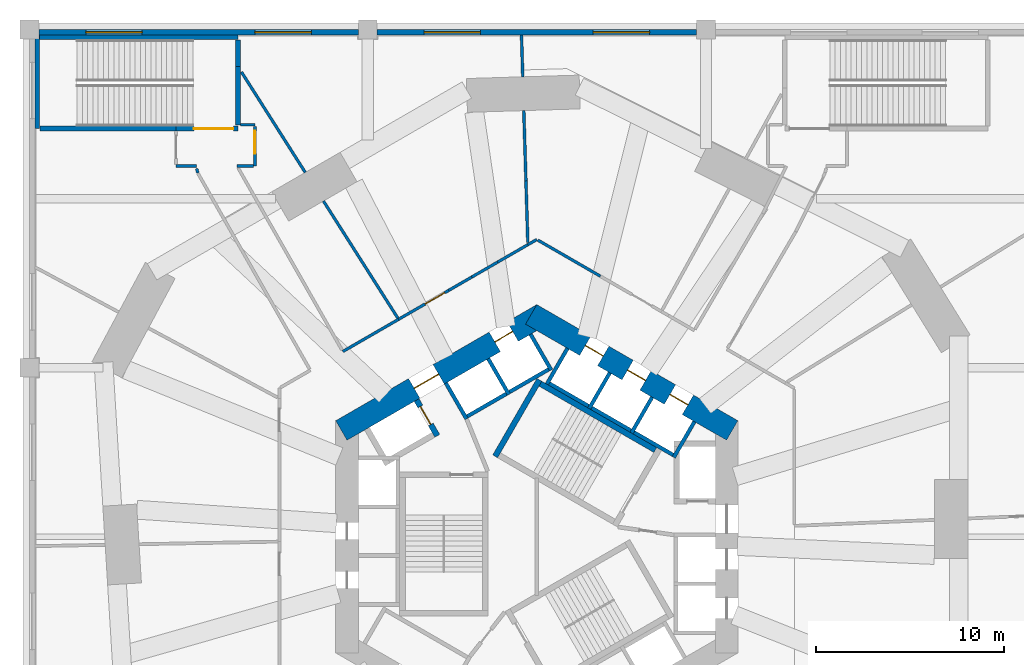
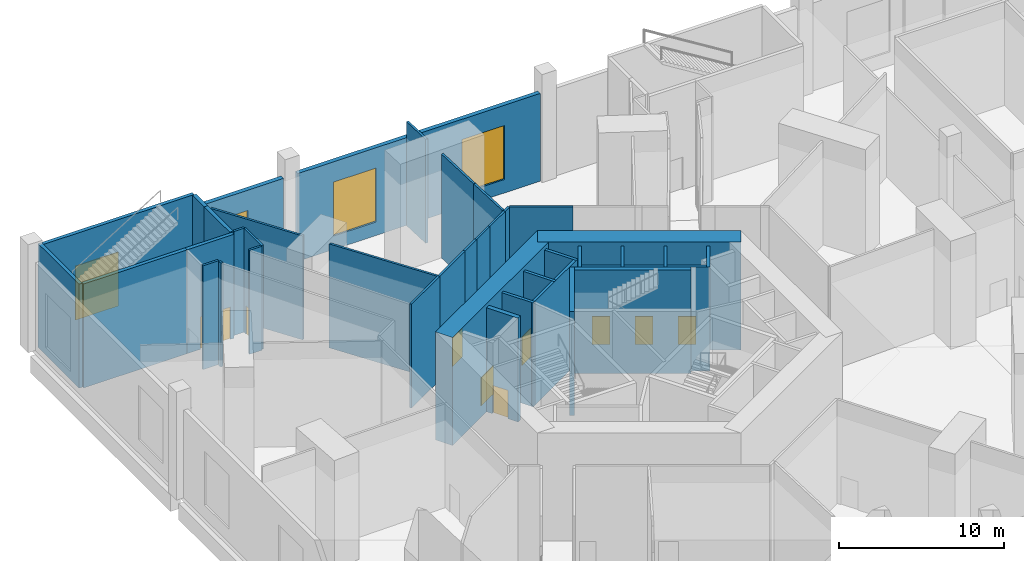
# One storey, part 9 of 15: 39 walls, 9 doors, 4 windows, 13 openings.
"""IFC4 building model written with IfcOpenShell, lengths in metres."""

from ifc_helpers import new_model, si_unit, direction, frame, frame_2d, origin, place, context, subcontext, project, spatial, rectangle, extrude, material, layer, layer_set, type_object, element, fill, save


model = new_model("IFC4")

# Units and contexts
model_context = context("Model", 3, precision=1e-05, world=origin(), true_north=direction((0.0, 1.0)))
body_context = subcontext(model_context, "Body", "Model", "MODEL_VIEW")
ifc_project = project(units=[si_unit("LENGTHUNIT", "METRE"), si_unit("AREAUNIT", "SQUARE_METRE"), si_unit("VOLUMEUNIT", "CUBIC_METRE"), si_unit("PLANEANGLEUNIT", "RADIAN"), si_unit("MASSUNIT", "GRAM", prefix="KILO")], contexts=[model_context])

# Site, building, storey
site_placement = place(None, origin())
site = spatial("IfcSite", under=ifc_project, at=site_placement, CompositionType="ELEMENT")
building_placement = place(site_placement, origin())
building = spatial("IfcBuilding", under=site, at=building_placement, Name="Vanh Sen Convention Tower", CompositionType="ELEMENT")
storey_placement = place(building_placement, frame((0.0, 0.0, 21.0)))
storey = spatial("IfcBuildingStorey", under=building, at=storey_placement, Name="L03", CompositionType="ELEMENT", Elevation=21.0)

# Wall
ifc_material_1 = material(Name="Concrete C40/50", Category="concrete")
ifc_layer_1 = layer(ifc_material_1, 0.25)
ifc_layer_set_1 = layer_set([ifc_layer_1], Name="Concrete C40/50")
wall_type_1 = type_object("IfcWallType", Name="Concrete wall 250 REI 180", PredefinedType="SOLIDWALL", material=ifc_layer_set_1)
wall_1_placement = place(storey_placement, frame((-19.199951171875, 21.72509765625, 0.0), z_axis=(0.0, 0.0, 1.0), x_axis=(-1.0, 0.0, 0.0)))
element("IfcWall", 1, at=wall_1_placement, inside=storey, type_object=wall_type_1, Name="Fire-resisting wall L03-108", PredefinedType="SOLIDWALL", context=body_context, shape_type="SweptSolid", body=[
    extrude(rectangle(XDim=7.239990234375, YDim=0.25, at=frame_2d((3.6201171875, 0.0))), origin(), (0.0, 0.0, 1.0), 7.699951171875),
])

# Wall, opening, door
wall_2_placement = place(storey_placement, frame((-15.89990234375, 21.72509765625, 0.0), z_axis=(0.0, 0.0, 1.0), x_axis=(-1.0, 0.0, 0.0)))
wall_2 = element("IfcWall", 2, at=wall_2_placement, inside=storey, type_object=wall_type_1, Name="Fire-resisting wall L03-109", PredefinedType="SOLIDWALL", context=body_context, shape_type="SweptSolid", body=[
    extrude(rectangle(XDim=3.300048828125, YDim=0.25, at=frame_2d((1.64990234375, 0.0))), origin(), (0.0, 0.0, 1.0), 7.699951171875),
])
opening_1_placement = place(wall_2_placement, frame((0.25, 0.0, 0.0)))
opening_1 = element("IfcOpeningElement", 3, at=opening_1_placement, cuts=wall_2, Name="Opening D03124", PredefinedType="OPENING", context=body_context, shape_type="SweptSolid", body=[
    extrude(rectangle(XDim=2.10009765625, YDim=2.39990234375, at=frame_2d((1.050048828125, 1.199951171875))), frame((0.0, 0.135009765625, 0.0), z_axis=(0.0, -1.0, 0.0), x_axis=(1.0, 0.0, 0.0)), (0.0, 0.0, 1.0), 0.27001953125),
])
ifc_material_2 = material(Name="Steel S355", Category="steel")
door_type_1 = type_object("IfcDoorType", Name="Stair door 2100 EI 60", OperationType="DOUBLE_DOOR_SINGLE_SWING", PredefinedType="DOOR", material=ifc_material_2)
door_1_placement = place(opening_1_placement, frame((2.10009765625, 0.0, 0.0), z_axis=(0.0, 0.0, 1.0), x_axis=(-1.0, 0.0, 0.0)))
door_1 = element("IfcDoor", 4, at=door_1_placement, inside=storey, type_object=door_type_1, Name="Stair door D03124", OperationType="DOUBLE_DOOR_SINGLE_SWING", OverallHeight=2.39990234375, OverallWidth=2.10009765625, PredefinedType="DOOR", context=body_context, shape_type="SweptSolid", body=[
    extrude(rectangle(XDim=2.10009765625, YDim=2.39990234375, at=frame_2d((1.050048828125, 1.199951171875))), frame((0.0, 0.02490234375, 0.0), z_axis=(0.0, -1.0, 0.0), x_axis=(1.0, 0.0, 0.0)), (0.0, 0.0, 1.0), 0.050048828125),
])
fill(opening_1, door_1)

# Walls
wall_3_placement = place(storey_placement, frame((-15.89990234375, 25.021484375, 0.0), z_axis=(0.0, 0.0, 1.0), x_axis=(0.0, -1.0, 0.0)))
element("IfcWall", 5, at=wall_3_placement, inside=storey, type_object=wall_type_1, Name="Fire-resisting wall L03-119", PredefinedType="SOLIDWALL", context=body_context, shape_type="SweptSolid", body=[
    extrude(rectangle(XDim=3.096435546875, YDim=0.25, at=frame_2d((1.54833984375, 0.0))), origin(), (0.0, 0.0, 1.0), 7.699951171875),
])
wall_4_placement = place(storey_placement, frame((-15.89990234375, 26.43994140625, 0.0), z_axis=(0.0, 0.0, 1.0), x_axis=(0.0, -1.0, 0.0)))
element("IfcWall", 6, at=wall_4_placement, inside=storey, type_object=wall_type_1, Name="Fire-resisting wall L03-120", PredefinedType="SOLIDWALL", context=body_context, shape_type="SweptSolid", body=[
    extrude(rectangle(XDim=1.41845703125, YDim=0.25, at=frame_2d((0.709228515625, 0.0))), origin(), (0.0, 0.0, 1.0), 7.699951171875),
])
wall_5_placement = place(storey_placement, frame((-26.574951171875, 21.72509765625, 0.0), z_axis=(0.0, 0.0, 1.0), x_axis=(0.0, 1.0, 0.0)))
element("IfcWall", 7, at=wall_5_placement, inside=storey, type_object=wall_type_1, Name="Stair enclosure wall PS5 L03", PredefinedType="SOLIDWALL", context=body_context, shape_type="SweptSolid", body=[
    extrude(rectangle(XDim=4.974853515625, YDim=0.25, at=frame_2d((2.4873046875, 0.0))), origin(), (0.0, 0.0, 1.0), 7.699951171875),
])
wall_6_placement = place(storey_placement, frame((-26.449951171875, 26.574951171875, 0.0), z_axis=(0.0, 0.0, 1.0), x_axis=(1.0, 0.0, 0.0)))
element("IfcWall", 8, at=wall_6_placement, inside=storey, type_object=wall_type_1, Name="Stair enclosure wall PS5 L03", PredefinedType="SOLIDWALL", context=body_context, shape_type="SweptSolid", body=[
    extrude(rectangle(XDim=10.550048828125, YDim=0.25, at=frame_2d((5.27490234375, 0.0))), origin(), (0.0, 0.0, 1.0), 7.699951171875),
])

# Wall, openings, doors
ifc_material_3 = material(Name="Concrete C80/95", Category="concrete")
ifc_layer_2 = layer(ifc_material_3, 1.199951171875)
ifc_layer_set_2 = layer_set([ifc_layer_2], Name="Concrete C80/95")
wall_type_2 = type_object("IfcWallType", Name="Core outer wall 1200 C80/95", PredefinedType="SHEAR", material=ifc_layer_set_2)
wall_7_placement = place(storey_placement, frame((10.39990234375, 5.657958984375, 0.0), z_axis=(0.0, 0.0, 1.0), x_axis=(-0.866021384402, 0.500006961711, 0.0)))
wall_7 = element("IfcWall", 9, at=wall_7_placement, inside=storey, type_object=wall_type_2, Name="Core wall face NE L03", PredefinedType="SHEAR", context=body_context, shape_type="SweptSolid", body=[
    extrude(rectangle(XDim=12.355224609375, YDim=1.199951171875, at=frame_2d((6.177734375, 0.0))), origin(), (0.0, 0.0, 1.0), 8.0),
])
opening_2_placement = place(wall_7_placement, frame((2.727783203125, 0.0, 0.0)))
opening_2 = element("IfcOpeningElement", 10, at=opening_2_placement, cuts=wall_7, Name="Opening LD-LR3", PredefinedType="OPENING", context=body_context, shape_type="SweptSolid", body=[
    extrude(rectangle(XDim=1.10009765625, YDim=2.10009765625, at=frame_2d((0.550048828125, 1.050048828125))), frame((0.0, 0.60986328125, 0.0), z_axis=(0.0, -1.0, 0.0), x_axis=(1.0, 0.0, 0.0)), (0.0, 0.0, 1.0), 1.219970703125),
])
opening_3_placement = place(wall_7_placement, frame((5.32763671875, 0.0, 0.0)))
opening_3 = element("IfcOpeningElement", 11, at=opening_3_placement, cuts=wall_7, Name="Opening LD-LR4", PredefinedType="OPENING", context=body_context, shape_type="SweptSolid", body=[
    extrude(rectangle(XDim=1.10009765625, YDim=2.10009765625, at=frame_2d((0.550048828125, 1.050048828125))), frame((0.0, 0.60986328125, 0.0), z_axis=(0.0, -1.0, 0.0), x_axis=(1.0, 0.0, 0.0)), (0.0, 0.0, 1.0), 1.219970703125),
])
opening_4_placement = place(wall_7_placement, frame((7.927734375, 0.0, 0.0)))
opening_4 = element("IfcOpeningElement", 12, at=opening_4_placement, cuts=wall_7, Name="Opening LD-LR5", PredefinedType="OPENING", context=body_context, shape_type="SweptSolid", body=[
    extrude(rectangle(XDim=1.10009765625, YDim=2.10009765625, at=frame_2d((0.550048828125, 1.050048828125))), frame((0.0, 0.60986328125, 0.0), z_axis=(0.0, -1.0, 0.0), x_axis=(1.0, 0.0, 0.0)), (0.0, 0.0, 1.0), 1.219970703125),
])
ifc_material_4 = material(Name="Stainless steel", Category="steel")
door_type_2 = type_object("IfcDoorType", Name="Lift landing door 1100", OperationType="DOUBLE_DOOR_SLIDING", PredefinedType="DOOR", material=ifc_material_4)
door_2_placement = place(opening_2_placement, origin())
door_2 = element("IfcDoor", 13, at=door_2_placement, inside=storey, type_object=door_type_2, Name="Lift LR3 landing door LD-LR3", OperationType="DOUBLE_DOOR_SLIDING", OverallHeight=2.10009765625, OverallWidth=1.10009765625, PredefinedType="DOOR", context=body_context, shape_type="SweptSolid", body=[
    extrude(rectangle(XDim=1.10009765625, YDim=2.10009765625, at=frame_2d((0.550048828125, 1.050048828125))), frame((0.0, 0.02490234375, 0.0), z_axis=(0.0, -1.0, 0.0), x_axis=(1.0, 0.0, 0.0)), (0.0, 0.0, 1.0), 0.050048828125),
])
fill(opening_2, door_2)
door_3_placement = place(opening_3_placement, origin())
door_3 = element("IfcDoor", 14, at=door_3_placement, inside=storey, type_object=door_type_2, Name="Lift LR4 landing door LD-LR4", OperationType="DOUBLE_DOOR_SLIDING", OverallHeight=2.10009765625, OverallWidth=1.10009765625, PredefinedType="DOOR", context=body_context, shape_type="SweptSolid", body=[
    extrude(rectangle(XDim=1.10009765625, YDim=2.10009765625, at=frame_2d((0.550048828125, 1.050048828125))), frame((0.0, 0.02490234375, 0.0), z_axis=(0.0, -1.0, 0.0), x_axis=(1.0, 0.0, 0.0)), (0.0, 0.0, 1.0), 0.050048828125),
])
fill(opening_3, door_3)
door_4_placement = place(opening_4_placement, origin())
door_4 = element("IfcDoor", 15, at=door_4_placement, inside=storey, type_object=door_type_2, Name="Lift LR5 landing door LD-LR5", OperationType="DOUBLE_DOOR_SLIDING", OverallHeight=2.10009765625, OverallWidth=1.10009765625, PredefinedType="DOOR", context=body_context, shape_type="SweptSolid", body=[
    extrude(rectangle(XDim=1.10009765625, YDim=2.10009765625, at=frame_2d((0.550048828125, 1.050048828125))), frame((0.0, 0.02490234375, 0.0), z_axis=(0.0, -1.0, 0.0), x_axis=(1.0, 0.0, 0.0)), (0.0, 0.0, 1.0), 0.050048828125),
])
fill(opening_4, door_4)

wall_8_placement = place(storey_placement, frame((0.300048828125, 11.835693359375, 0.0), z_axis=(0.0, 0.0, 1.0), x_axis=(-0.866021384402, -0.500006961711, 0.0)))
wall_8 = element("IfcWall", 16, at=wall_8_placement, inside=storey, type_object=wall_type_2, Name="Core wall face NW L03", PredefinedType="SHEAR", context=body_context, shape_type="SweptSolid", body=[
    extrude(rectangle(XDim=12.355224609375, YDim=1.199951171875, at=frame_2d((6.177734375, 0.0))), origin(), (0.0, 0.0, 1.0), 8.0),
])
opening_5_placement = place(wall_8_placement, frame((6.377685546875, 0.0, 0.0)))
opening_5 = element("IfcOpeningElement", 17, at=opening_5_placement, cuts=wall_8, Name="Opening D03002", PredefinedType="OPENING", context=body_context, shape_type="SweptSolid", body=[
    extrude(rectangle(XDim=1.5, YDim=2.10009765625, at=frame_2d((0.75, 1.050048828125))), frame((0.0, 0.60986328125, 0.0), z_axis=(0.0, -1.0, 0.0), x_axis=(1.0, 0.0, 0.0)), (0.0, 0.0, 1.0), 1.219970703125),
])
opening_6_placement = place(wall_8_placement, frame((1.82763671875, 0.0, 0.0)))
opening_6 = element("IfcOpeningElement", 18, at=opening_6_placement, cuts=wall_8, Name="Opening LD-LR6", PredefinedType="OPENING", context=body_context, shape_type="SweptSolid", body=[
    extrude(rectangle(XDim=1.10009765625, YDim=2.10009765625, at=frame_2d((0.550048828125, 1.050048828125))), frame((0.0, 0.60986328125, 0.0), z_axis=(0.0, -1.0, 0.0), x_axis=(1.0, 0.0, 0.0)), (0.0, 0.0, 1.0), 1.219970703125),
])
door_5_placement = place(opening_6_placement, origin())
door_5 = element("IfcDoor", 19, at=door_5_placement, inside=storey, type_object=door_type_2, Name="Lift LR6 landing door LD-LR6", OperationType="DOUBLE_DOOR_SLIDING", OverallHeight=2.10009765625, OverallWidth=1.10009765625, PredefinedType="DOOR", context=body_context, shape_type="SweptSolid", body=[
    extrude(rectangle(XDim=1.10009765625, YDim=2.10009765625, at=frame_2d((0.550048828125, 1.050048828125))), frame((0.0, 0.02490234375, 0.0), z_axis=(0.0, -1.0, 0.0), x_axis=(1.0, 0.0, 0.0)), (0.0, 0.0, 1.0), 0.050048828125),
])
fill(opening_6, door_5)
ifc_material_5 = material(Name="Steel S355", Category="steel")
door_type_3 = type_object("IfcDoorType", Name="Stair lobby door 1500", OperationType="DOUBLE_DOOR_SINGLE_SWING", PredefinedType="DOOR", material=ifc_material_5)
door_6_placement = place(opening_5_placement, origin())
door_6 = element("IfcDoor", 20, at=door_6_placement, inside=storey, type_object=door_type_3, Name="Stair lobby door D03002", OperationType="DOUBLE_DOOR_SINGLE_SWING", OverallHeight=2.10009765625, OverallWidth=1.5, PredefinedType="DOOR", context=body_context, shape_type="SweptSolid", body=[
    extrude(rectangle(XDim=1.5, YDim=2.10009765625, at=frame_2d((0.75, 1.050048828125))), frame((0.0, 0.02490234375, 0.0), z_axis=(0.0, -1.0, 0.0), x_axis=(1.0, 0.0, 0.0)), (0.0, 0.0, 1.0), 0.050048828125),
])
fill(opening_5, door_6)

# Wall, opening, door
ifc_material_6 = material(Name="Concrete C60/75", Category="concrete")
ifc_layer_3 = layer(ifc_material_6, 0.300048828125)
ifc_layer_set_3 = layer_set([ifc_layer_3], Name="Concrete C60/75")
wall_type_3 = type_object("IfcWallType", Name="Fire-fighting lift shaft wall 300", PredefinedType="SHEAR", material=ifc_layer_set_3)
wall_9_placement = place(storey_placement, frame((-5.29541015625, 5.3720703125, 0.0), z_axis=(0.0, 0.0, 1.0), x_axis=(-0.500077893725, 0.86598042715, 0.0)))
wall_9 = element("IfcWall", 21, at=wall_9_placement, inside=storey, type_object=wall_type_3, Name="Fire-fighting lift shaft wall L03", PredefinedType="SHEAR", context=body_context, shape_type="SweptSolid", body=[
    extrude(rectangle(XDim=2.199951171875, YDim=0.300048828125, at=frame_2d((1.10009765625, 0.0))), origin(), (0.0, 0.0, 1.0), 7.699951171875),
])
opening_7_placement = place(wall_9_placement, frame((0.699951171875, 0.0, 0.0)))
opening_7 = element("IfcOpeningElement", 22, at=opening_7_placement, cuts=wall_9, Name="Opening LD-FF2", PredefinedType="OPENING", context=body_context, shape_type="SweptSolid", body=[
    extrude(rectangle(XDim=1.10009765625, YDim=2.10009765625, at=frame_2d((0.550048828125, 1.050048828125))), frame((0.0, 0.159912109375, 0.0), z_axis=(0.0, -1.0, 0.0), x_axis=(1.0, 0.0, 0.0)), (0.0, 0.0, 1.0), 0.320068359375),
])
door_type_4 = type_object("IfcDoorType", Name="Fire-fighting lift landing door 1100", OperationType="DOUBLE_DOOR_SLIDING", PredefinedType="DOOR", material=ifc_material_4)
door_7_placement = place(opening_7_placement, origin())
door_7 = element("IfcDoor", 23, at=door_7_placement, inside=storey, type_object=door_type_4, Name="Lift FF2 landing door LD-FF2", OperationType="DOUBLE_DOOR_SLIDING", OverallHeight=2.10009765625, OverallWidth=1.10009765625, PredefinedType="DOOR", context=body_context, shape_type="SweptSolid", body=[
    extrude(rectangle(XDim=1.10009765625, YDim=2.10009765625, at=frame_2d((0.550048828125, 1.050048828125))), frame((0.0, 0.02490234375, 0.0), z_axis=(0.0, -1.0, 0.0), x_axis=(1.0, 0.0, 0.0)), (0.0, 0.0, 1.0), 0.050048828125),
])
fill(opening_7, door_7)

# Walls
ifc_layer_4 = layer(ifc_material_1, 0.199951171875)
ifc_layer_set_4 = layer_set([ifc_layer_4], Name="Concrete C40/50")
wall_type_4 = type_object("IfcWallType", Name="Lift shaft wall 200", PredefinedType="PARTITIONING", material=ifc_layer_set_4)
wall_10_placement = place(storey_placement, frame((7.423828125, 4.258544921875, 0.0), z_axis=(0.0, 0.0, 1.0), x_axis=(-0.866026010844, 0.49999894854, 0.0)))
element("IfcWall", 24, at=wall_10_placement, inside=storey, type_object=wall_type_4, Name="Lift shaft wall L03", PredefinedType="PARTITIONING", context=body_context, shape_type="SweptSolid", body=[
    extrude(rectangle(XDim=8.0, YDim=0.199951171875, at=frame_2d((4.0, 0.0))), origin(), (0.0, 0.0, 1.0), 7.699951171875),
])
for number, where, z_axis, x_axis, name in (
    (25, (7.287353515625, 4.221923828125, 0.0), (0.0, 0.0, 1.0), (0.499946605688, 0.86605622881, 0.0), "Lift shaft wall L03"),
    (26, (5.03564453125, 5.52197265625, 0.0), (0.0, 0.0, 1.0), (0.499946605688, 0.86605622881, 0.0), "Lift shaft wall L03"),
    (27, (2.783935546875, 6.822021484375, 0.0), (0.0, 0.0, 1.0), (0.50002983664, 0.866008176907, 0.0), "Lift shaft wall L03"),
    (28, (0.5322265625, 8.1220703125, 0.0), (0.0, 0.0, 1.0), (0.500077893725, 0.86598042715, 0.0), "Lift shaft wall L03"),
):
    element("IfcWall", number, at=place(storey_placement, frame(where, z_axis=z_axis, x_axis=x_axis)), inside=storey, type_object=wall_type_4, Name=name, PredefinedType="PARTITIONING", context=body_context, shape_type="SweptSolid", body=[
        extrude(rectangle(XDim=2.199951171875, YDim=0.199951171875, at=frame_2d((1.10009765625, 0.0))), origin(), (0.0, 0.0, 1.0), 7.699951171875),
    ])
wall_11_placement = place(storey_placement, frame((0.80322265625, 9.008544921875, 0.0), z_axis=(0.0, 0.0, 1.0), x_axis=(-0.866028230842, -0.499995103361, 0.0)))
element("IfcWall", 29, at=wall_11_placement, inside=storey, type_object=wall_type_4, Name="Lift shaft wall L03", PredefinedType="PARTITIONING", context=body_context, shape_type="SweptSolid", body=[
    extrude(rectangle(XDim=5.39990234375, YDim=0.199951171875, at=frame_2d((2.699951171875, 0.0))), origin(), (0.0, 0.0, 1.0), 7.699951171875),
])
wall_12_placement = place(storey_placement, frame((0.7666015625, 8.8720703125, 0.0), z_axis=(0.0, 0.0, 1.0), x_axis=(-0.499994660107, 0.866028486751, 0.0)))
element("IfcWall", 30, at=wall_12_placement, inside=storey, type_object=wall_type_4, Name="Lift shaft wall L03", PredefinedType="PARTITIONING", context=body_context, shape_type="SweptSolid", body=[
    extrude(rectangle(XDim=2.19970703125, YDim=0.199951171875, at=frame_2d((1.099853515625, 0.0))), origin(), (0.0, 0.0, 1.0), 7.699951171875),
])
for number, where, z_axis, x_axis, name in (
    (31, (-1.48486328125, 7.572021484375, 0.0), (0.0, 0.0, 1.0), (-0.50002983664, 0.866008176907, 0.0), "Lift shaft wall L03"),
    (32, (-3.736572265625, 6.27197265625, 0.0), (0.0, 0.0, 1.0), (-0.50002983664, 0.866008176907, 0.0), "Lift shaft wall L03"),
):
    element("IfcWall", number, at=place(storey_placement, frame(where, z_axis=z_axis, x_axis=x_axis)), inside=storey, type_object=wall_type_4, Name=name, PredefinedType="PARTITIONING", context=body_context, shape_type="SweptSolid", body=[
        extrude(rectangle(XDim=2.199951171875, YDim=0.199951171875, at=frame_2d((1.10009765625, 0.0))), origin(), (0.0, 0.0, 1.0), 7.699951171875),
    ])
ifc_material_7 = material(Name="Gypsum board on steel studs", Category="steel")
ifc_layer_5 = layer(ifc_material_7, 0.14990234375)
ifc_layer_set_5 = layer_set([ifc_layer_5], Name="Gypsum board on steel studs")
wall_type_5 = type_object("IfcWallType", Name="Partition 150 EI 60", PredefinedType="PARTITIONING", material=ifc_layer_set_5)
wall_13_placement = place(storey_placement, frame((-10.320556640625, 9.860595703125, 0.0), z_axis=(0.0, 0.0, 1.0), x_axis=(0.865970719175, 0.500094704563, 0.0)))
element("IfcWall", 33, at=wall_13_placement, inside=storey, type_object=wall_type_5, Name="Partition L03-069", PredefinedType="PARTITIONING", context=body_context, shape_type="SweptSolid", body=[
    extrude(rectangle(XDim=3.425048828125, YDim=0.14990234375, at=frame_2d((1.71240234375, 0.0))), origin(), (0.0, 0.0, 1.0), 7.699951171875),
])

# Wall, opening, door
wall_14_placement = place(storey_placement, frame((-7.3544921875, 11.573486328125, 0.0), z_axis=(0.0, 0.0, 1.0), x_axis=(0.866051051954, 0.499955573435, 0.0)))
wall_14 = element("IfcWall", 34, at=wall_14_placement, inside=storey, type_object=wall_type_5, Name="Partition L03-072", PredefinedType="PARTITIONING", context=body_context, shape_type="SweptSolid", body=[
    extrude(rectangle(XDim=3.082275390625, YDim=0.14990234375, at=frame_2d((1.541015625, 0.0))), origin(), (0.0, 0.0, 1.0), 7.699951171875),
])
opening_8_placement = place(wall_14_placement, frame((1.63232421875, 0.0, 0.0)))
opening_8 = element("IfcOpeningElement", 35, at=opening_8_placement, cuts=wall_14, Name="Opening D03119", PredefinedType="OPENING", context=body_context, shape_type="SweptSolid", body=[
    extrude(rectangle(XDim=1.199951171875, YDim=2.10009765625, at=frame_2d((0.60009765625, 1.050048828125))), frame((0.0, 0.0849609375, 0.0), z_axis=(0.0, -1.0, 0.0), x_axis=(1.0, 0.0, 0.0)), (0.0, 0.0, 1.0), 0.169921875),
])
ifc_material_8 = material(Name="Timber door in steel frame", Category="steel")
door_type_5 = type_object("IfcDoorType", Name="Room door 1200 EI 30", OperationType="SINGLE_SWING_LEFT", PredefinedType="DOOR", material=ifc_material_8)
door_8_placement = place(opening_8_placement, origin())
door_8 = element("IfcDoor", 36, at=door_8_placement, inside=storey, type_object=door_type_5, Name="Room door D03119", OperationType="SINGLE_SWING_LEFT", OverallHeight=2.10009765625, OverallWidth=1.199951171875, PredefinedType="DOOR", context=body_context, shape_type="SweptSolid", body=[
    extrude(rectangle(XDim=1.199951171875, YDim=2.10009765625, at=frame_2d((0.60009765625, 1.050048828125))), frame((0.0, 0.02490234375, 0.0), z_axis=(0.0, -1.0, 0.0), x_axis=(1.0, 0.0, 0.0)), (0.0, 0.0, 1.0), 0.050048828125),
])
fill(opening_8, door_8)

# Walls
wall_15_placement = place(storey_placement, frame((-7.3974609375, 11.64111328125, 0.0), z_axis=(0.0, 0.0, 1.0), x_axis=(-0.536312130721, 0.844019726334, 0.0)))
element("IfcWall", 37, at=wall_15_placement, inside=storey, type_object=wall_type_5, Name="Partition L03-073", PredefinedType="PARTITIONING", context=body_context, shape_type="SweptSolid", body=[
    extrude(rectangle(XDim=7.37646484375, YDim=0.14990234375, at=frame_2d((3.688232421875, 0.0))), origin(), (0.0, 0.0, 1.0), 7.699951171875),
])
wall_16_placement = place(storey_placement, frame((-3.459716796875, 13.822021484375, 0.0), z_axis=(0.0, 0.0, 1.0), x_axis=(-0.866004557827, -0.500036104519, 0.0)))
element("IfcWall", 38, at=wall_16_placement, inside=storey, type_object=wall_type_5, Name="Partition L03-081", PredefinedType="PARTITIONING", context=body_context, shape_type="SweptSolid", body=[
    extrude(rectangle(XDim=1.4150390625, YDim=0.14990234375, at=frame_2d((0.70751953125, 0.0))), origin(), (0.0, 0.0, 1.0), 7.699951171875),
])
wall_17_placement = place(storey_placement, frame((3.385986328125, 13.864501953125, 0.0), z_axis=(0.0, 0.0, 1.0), x_axis=(-0.866006051527, 0.500033517596, 0.0)))
element("IfcWall", 39, at=wall_17_placement, inside=storey, type_object=wall_type_5, Name="Partition L03-082", PredefinedType="PARTITIONING", context=body_context, shape_type="SweptSolid", body=[
    extrude(rectangle(XDim=3.849853515625, YDim=0.14990234375, at=frame_2d((1.9248046875, 0.0))), origin(), (0.0, 0.0, 1.0), 7.699951171875),
])
wall_18_placement = place(storey_placement, frame((-2.0869140625, 14.614501953125, 0.0), z_axis=(0.0, 0.0, 1.0), x_axis=(-0.866054784643, -0.499949107407, 0.0)))
element("IfcWall", 40, at=wall_18_placement, inside=storey, type_object=wall_type_5, Name="Partition L03-083", PredefinedType="PARTITIONING", context=body_context, shape_type="SweptSolid", body=[
    extrude(rectangle(XDim=1.585205078125, YDim=0.14990234375, at=frame_2d((0.79248046875, 0.0))), origin(), (0.0, 0.0, 1.0), 7.699951171875),
])
wall_19_placement = place(storey_placement, frame((-2.0869140625, 14.614501953125, 0.0), z_axis=(0.0, 0.0, 1.0), x_axis=(0.866006459158, 0.500032811619, 0.0)))
element("IfcWall", 41, at=wall_19_placement, inside=storey, type_object=wall_type_5, Name="Partition L03-084", PredefinedType="PARTITIONING", context=body_context, shape_type="SweptSolid", body=[
    extrude(rectangle(XDim=1.861083984375, YDim=0.14990234375, at=frame_2d((0.9306640625, 0.0))), origin(), (0.0, 0.0, 1.0), 7.699951171875),
])
wall_20_placement = place(storey_placement, frame((-0.47509765625, 15.545166015625, 0.0), z_axis=(0.0, 0.0, 1.0), x_axis=(0.865933599817, 0.500158975434, 0.0)))
element("IfcWall", 42, at=wall_20_placement, inside=storey, type_object=wall_type_5, Name="Partition L03-085", PredefinedType="PARTITIONING", context=body_context, shape_type="SweptSolid", body=[
    extrude(rectangle(XDim=0.548583984375, YDim=0.14990234375, at=frame_2d((0.2744140625, 0.0))), origin(), (0.0, 0.0, 1.0), 7.699951171875),
])
wall_21_placement = place(storey_placement, frame((-0.5791015625, 18.945556640625, 0.0), z_axis=(0.0, 0.0, 1.0), x_axis=(0.030572886356, -0.999532540051, 0.0)))
element("IfcWall", 43, at=wall_21_placement, inside=storey, type_object=wall_type_5, Name="Partition L03-089", PredefinedType="PARTITIONING", context=body_context, shape_type="SweptSolid", body=[
    extrude(rectangle(XDim=3.281982421875, YDim=0.14990234375, at=frame_2d((1.64111328125, 0.0))), origin(), (0.0, 0.0, 1.0), 7.699951171875),
])
wall_22_placement = place(storey_placement, frame((-0.5791015625, 18.945556640625, 0.0), z_axis=(0.0, 0.0, 1.0), x_axis=(-0.030471255388, 0.999535643484, 0.0)))
element("IfcWall", 44, at=wall_22_placement, inside=storey, type_object=wall_type_5, Name="Partition L03-090", PredefinedType="PARTITIONING", context=body_context, shape_type="SweptSolid", body=[
    extrude(rectangle(XDim=3.733642578125, YDim=0.14990234375, at=frame_2d((1.86669921875, 0.0))), origin(), (0.0, 0.0, 1.0), 7.699951171875),
])
wall_23_placement = place(storey_placement, frame((-18.0380859375, 19.36181640625, 0.0), z_axis=(0.0, 0.0, 1.0), x_axis=(-0.257536433885, 0.966268588552, 0.0)))
element("IfcWall", 45, at=wall_23_placement, inside=storey, type_object=wall_type_5, Name="Partition L03-091", PredefinedType="PARTITIONING", context=body_context, shape_type="SweptSolid", body=[
    extrude(rectangle(XDim=0.24072265625, YDim=0.14990234375, at=frame_2d((0.120361328125, 0.0))), origin(), (0.0, 0.0, 1.0), 7.699951171875),
])
wall_24_placement = place(storey_placement, frame((-12.31982421875, 19.387451171875, 0.0), z_axis=(0.0, 0.0, 1.0), x_axis=(-0.536309341483, 0.844021498682, 0.0)))
element("IfcWall", 46, at=wall_24_placement, inside=storey, type_object=wall_type_5, Name="Partition L03-093", PredefinedType="PARTITIONING", context=body_context, shape_type="SweptSolid", body=[
    extrude(rectangle(XDim=6.33544921875, YDim=0.14990234375, at=frame_2d((3.167724609375, 0.0))), origin(), (0.0, 0.0, 1.0), 7.699951171875),
])
wall_25_placement = place(storey_placement, frame((-18.10009765625, 19.72509765625, 0.0), z_axis=(0.0, 0.0, 1.0), x_axis=(-1.0, 0.0, 0.0)))
element("IfcWall", 47, at=wall_25_placement, inside=storey, type_object=wall_type_5, Name="Partition L03-100", PredefinedType="PARTITIONING", context=body_context, shape_type="SweptSolid", body=[
    extrude(rectangle(XDim=1.099853515625, YDim=0.14990234375, at=frame_2d((0.5498046875, 0.0))), origin(), (0.0, 0.0, 1.0), 7.699951171875),
])
wall_26_placement = place(storey_placement, frame((-15.080078125, 19.72509765625, 0.0), z_axis=(0.0, 0.0, 1.0), x_axis=(-1.0, 0.0, 0.0)))
element("IfcWall", 48, at=wall_26_placement, inside=storey, type_object=wall_type_5, Name="Partition L03-101", PredefinedType="PARTITIONING", context=body_context, shape_type="SweptSolid", body=[
    extrude(rectangle(XDim=0.868408203125, YDim=0.14990234375, at=frame_2d((0.43408203125, 0.0))), origin(), (0.0, 0.0, 1.0), 7.699951171875),
])

# Wall, opening, door
wall_27_placement = place(storey_placement, frame((-15.0, 21.844970703125, 0.0), z_axis=(0.0, 0.0, 1.0), x_axis=(0.0, -1.0, 0.0)))
wall_27 = element("IfcWall", 49, at=wall_27_placement, inside=storey, type_object=wall_type_5, Name="Partition L03-113", PredefinedType="PARTITIONING", context=body_context, shape_type="SweptSolid", body=[
    extrude(rectangle(XDim=2.119873046875, YDim=0.14990234375, at=frame_2d((1.06005859375, 0.0))), origin(), (0.0, 0.0, 1.0), 7.699951171875),
])
opening_9_placement = place(wall_27_placement, frame((0.25, 0.0, 0.0)))
opening_9 = element("IfcOpeningElement", 50, at=opening_9_placement, cuts=wall_27, Name="Opening D03127", PredefinedType="OPENING", context=body_context, shape_type="SweptSolid", body=[
    extrude(rectangle(XDim=1.199951171875, YDim=2.10009765625, at=frame_2d((0.60009765625, 1.050048828125))), frame((0.0, 0.0849609375, 0.0), z_axis=(0.0, -1.0, 0.0), x_axis=(1.0, 0.0, 0.0)), (0.0, 0.0, 1.0), 0.169921875),
])
door_9_placement = place(opening_9_placement, origin())
door_9 = element("IfcDoor", 51, at=door_9_placement, inside=storey, type_object=door_type_5, Name="Room door D03127", OperationType="SINGLE_SWING_LEFT", OverallHeight=2.10009765625, OverallWidth=1.199951171875, PredefinedType="DOOR", context=body_context, shape_type="SweptSolid", body=[
    extrude(rectangle(XDim=1.199951171875, YDim=2.10009765625, at=frame_2d((0.60009765625, 1.050048828125))), frame((0.0, 0.02490234375, 0.0), z_axis=(0.0, -1.0, 0.0), x_axis=(1.0, 0.0, 0.0)), (0.0, 0.0, 1.0), 0.050048828125),
])
fill(opening_9, door_9)

# Walls
wall_28_placement = place(storey_placement, frame((-15.760009765625, 21.925048828125, 0.0), z_axis=(0.0, 0.0, 1.0), x_axis=(1.0, 0.0, 0.0)))
element("IfcWall", 52, at=wall_28_placement, inside=storey, type_object=wall_type_5, Name="Partition L03-114", PredefinedType="PARTITIONING", context=body_context, shape_type="SweptSolid", body=[
    extrude(rectangle(XDim=0.760009765625, YDim=0.14990234375, at=frame_2d((0.3798828125, 0.0))), origin(), (0.0, 0.0, 1.0), 7.699951171875),
])
wall_29_placement = place(storey_placement, frame((-0.747802734375, 24.476806640625, 0.0), z_axis=(0.0, 0.0, 1.0), x_axis=(-0.030405439098, 0.999537647752, 0.0)))
element("IfcWall", 53, at=wall_29_placement, inside=storey, type_object=wall_type_5, Name="Partition L03-118", PredefinedType="PARTITIONING", context=body_context, shape_type="SweptSolid", body=[
    extrude(rectangle(XDim=2.22412109375, YDim=0.14990234375, at=frame_2d((1.112060546875, 0.0))), origin(), (0.0, 0.0, 1.0), 7.699951171875),
])

# Wall, openings, windows
ifc_material_9 = material(Name="Concrete C50/60", Category="concrete")
ifc_layer_6 = layer(ifc_material_9, 0.300048828125)
ifc_layer_set_6 = layer_set([ifc_layer_6], Name="Concrete C50/60")
wall_type_6 = type_object("IfcWallType", Name="Podium wall 300", PredefinedType="STANDARD", material=ifc_layer_set_6)
wall_30_placement = place(storey_placement, frame((8.5, 26.85009765625, 0.0), z_axis=(0.0, 0.0, 1.0), x_axis=(-1.0, 0.0, 0.0)))
wall_30 = element("IfcWall", 54, at=wall_30_placement, inside=storey, type_object=wall_type_6, Name="Podium wall N3 L03", PredefinedType="STANDARD", context=body_context, shape_type="SweptSolid", body=[
    extrude(rectangle(XDim=17.0, YDim=0.300048828125, at=frame_2d((8.5, 0.0))), origin(), (0.0, 0.0, 1.0), 6.5),
])
opening_10_placement = place(wall_30_placement, frame((2.5, 0.0, 1.0)))
opening_10 = element("IfcOpeningElement", 55, at=opening_10_placement, cuts=wall_30, Name="Opening WP3-N5", PredefinedType="OPENING", context=body_context, shape_type="SweptSolid", body=[
    extrude(rectangle(XDim=3.0, YDim=4.0, at=frame_2d((1.5, 2.0))), frame((0.0, 0.159912109375, 0.0), z_axis=(0.0, -1.0, 0.0), x_axis=(1.0, 0.0, 0.0)), (0.0, 0.0, 1.0), 0.320068359375),
])
opening_11_placement = place(wall_30_placement, frame((11.5, 0.0, 1.0)))
opening_11 = element("IfcOpeningElement", 56, at=opening_11_placement, cuts=wall_30, Name="Opening WP3-N6", PredefinedType="OPENING", context=body_context, shape_type="SweptSolid", body=[
    extrude(rectangle(XDim=3.0, YDim=4.0, at=frame_2d((1.5, 2.0))), frame((0.0, 0.159912109375, 0.0), z_axis=(0.0, -1.0, 0.0), x_axis=(1.0, 0.0, 0.0)), (0.0, 0.0, 1.0), 0.320068359375),
])
ifc_material_10 = material(Name="Aluminium frame with clear low-emissivity glass", Category="aluminium")
window_type = type_object("IfcWindowType", Name="Podium window 3000 x 4000", PartitioningType="SINGLE_PANEL", PredefinedType="WINDOW", material=ifc_material_10)
window_1_placement = place(opening_10_placement, origin())
window_1 = element("IfcWindow", 57, at=window_1_placement, inside=storey, type_object=window_type, Name="Window WP3-N5", OverallHeight=4.0, OverallWidth=3.0, PartitioningType="SINGLE_PANEL", PredefinedType="WINDOW", context=body_context, shape_type="SweptSolid", body=[
    extrude(rectangle(XDim=3.0, YDim=4.0, at=frame_2d((1.5, 2.0))), frame((0.0, 0.030029296875, 0.0), z_axis=(0.0, -1.0, 0.0), x_axis=(1.0, 0.0, 0.0)), (0.0, 0.0, 1.0), 0.06005859375),
])
fill(opening_10, window_1)
window_2_placement = place(opening_11_placement, origin())
window_2 = element("IfcWindow", 58, at=window_2_placement, inside=storey, type_object=window_type, Name="Window WP3-N6", OverallHeight=4.0, OverallWidth=3.0, PartitioningType="SINGLE_PANEL", PredefinedType="WINDOW", context=body_context, shape_type="SweptSolid", body=[
    extrude(rectangle(XDim=3.0, YDim=4.0, at=frame_2d((1.5, 2.0))), frame((0.0, 0.030029296875, 0.0), z_axis=(0.0, -1.0, 0.0), x_axis=(1.0, 0.0, 0.0)), (0.0, 0.0, 1.0), 0.06005859375),
])
fill(opening_11, window_2)

wall_31_placement = place(storey_placement, frame((-9.5, 26.85009765625, 0.0), z_axis=(0.0, 0.0, 1.0), x_axis=(-1.0, 0.0, 0.0)))
wall_31 = element("IfcWall", 59, at=wall_31_placement, inside=storey, type_object=wall_type_6, Name="Podium wall N4 L03", PredefinedType="STANDARD", context=body_context, shape_type="SweptSolid", body=[
    extrude(rectangle(XDim=17.0, YDim=0.300048828125, at=frame_2d((8.5, 0.0))), origin(), (0.0, 0.0, 1.0), 6.5),
])
opening_12_placement = place(wall_31_placement, frame((2.5, 0.0, 1.0)))
opening_12 = element("IfcOpeningElement", 60, at=opening_12_placement, cuts=wall_31, Name="Opening WP3-N7", PredefinedType="OPENING", context=body_context, shape_type="SweptSolid", body=[
    extrude(rectangle(XDim=3.0, YDim=4.0, at=frame_2d((1.5, 2.0))), frame((0.0, 0.159912109375, 0.0), z_axis=(0.0, -1.0, 0.0), x_axis=(1.0, 0.0, 0.0)), (0.0, 0.0, 1.0), 0.320068359375),
])
opening_13_placement = place(wall_31_placement, frame((11.5, 0.0, 1.0)))
opening_13 = element("IfcOpeningElement", 61, at=opening_13_placement, cuts=wall_31, Name="Opening WP3-N8", PredefinedType="OPENING", context=body_context, shape_type="SweptSolid", body=[
    extrude(rectangle(XDim=3.0, YDim=4.0, at=frame_2d((1.5, 2.0))), frame((0.0, 0.159912109375, 0.0), z_axis=(0.0, -1.0, 0.0), x_axis=(1.0, 0.0, 0.0)), (0.0, 0.0, 1.0), 0.320068359375),
])
window_3_placement = place(opening_12_placement, origin())
window_3 = element("IfcWindow", 62, at=window_3_placement, inside=storey, type_object=window_type, Name="Window WP3-N7", OverallHeight=4.0, OverallWidth=3.0, PartitioningType="SINGLE_PANEL", PredefinedType="WINDOW", context=body_context, shape_type="SweptSolid", body=[
    extrude(rectangle(XDim=3.0, YDim=4.0, at=frame_2d((1.5, 2.0))), frame((0.0, 0.030029296875, 0.0), z_axis=(0.0, -1.0, 0.0), x_axis=(1.0, 0.0, 0.0)), (0.0, 0.0, 1.0), 0.06005859375),
])
fill(opening_12, window_3)
window_4_placement = place(opening_13_placement, origin())
window_4 = element("IfcWindow", 63, at=window_4_placement, inside=storey, type_object=window_type, Name="Window WP3-N8", OverallHeight=4.0, OverallWidth=3.0, PartitioningType="SINGLE_PANEL", PredefinedType="WINDOW", context=body_context, shape_type="SweptSolid", body=[
    extrude(rectangle(XDim=3.0, YDim=4.0, at=frame_2d((1.5, 2.0))), frame((0.0, 0.030029296875, 0.0), z_axis=(0.0, -1.0, 0.0), x_axis=(1.0, 0.0, 0.0)), (0.0, 0.0, 1.0), 0.06005859375),
])
fill(opening_13, window_4)

# Walls
ifc_layer_7 = layer(ifc_material_6, 0.300048828125)
ifc_layer_set_7 = layer_set([ifc_layer_7], Name="Concrete C60/75")
wall_type_7 = type_object("IfcWallType", Name="Stair wall 300", PredefinedType="SHEAR", material=ifc_layer_set_7)
wall_32_placement = place(storey_placement, frame((-2.216064453125, 4.28173828125, 0.0), z_axis=(0.0, 0.0, 1.0), x_axis=(0.499977259774, 0.866038532462, 0.0)))
element("IfcWall", 64, at=wall_32_placement, inside=storey, type_object=wall_type_7, Name="Stair wall L03", PredefinedType="SHEAR", context=body_context, shape_type="SweptSolid", body=[
    extrude(rectangle(XDim=4.699951171875, YDim=0.300048828125, at=frame_2d((2.35009765625, 0.0))), origin(), (0.0, 0.0, 1.0), 7.699951171875),
])
wall_33_placement = place(storey_placement, frame((6.302978515625, 4.6171875, 0.0), z_axis=(0.0, 0.0, 1.0), x_axis=(-0.866027801685, 0.499995846692, 0.0)))
element("IfcWall", 65, at=wall_33_placement, inside=storey, type_object=wall_type_7, Name="Stair wall L03", PredefinedType="SHEAR", context=body_context, shape_type="SweptSolid", body=[
    extrude(rectangle(XDim=7.06005859375, YDim=0.300048828125, at=frame_2d((3.530029296875, 0.0))), origin(), (0.0, 0.0, 1.0), 7.699951171875),
])

save(model, "model.ifc")
